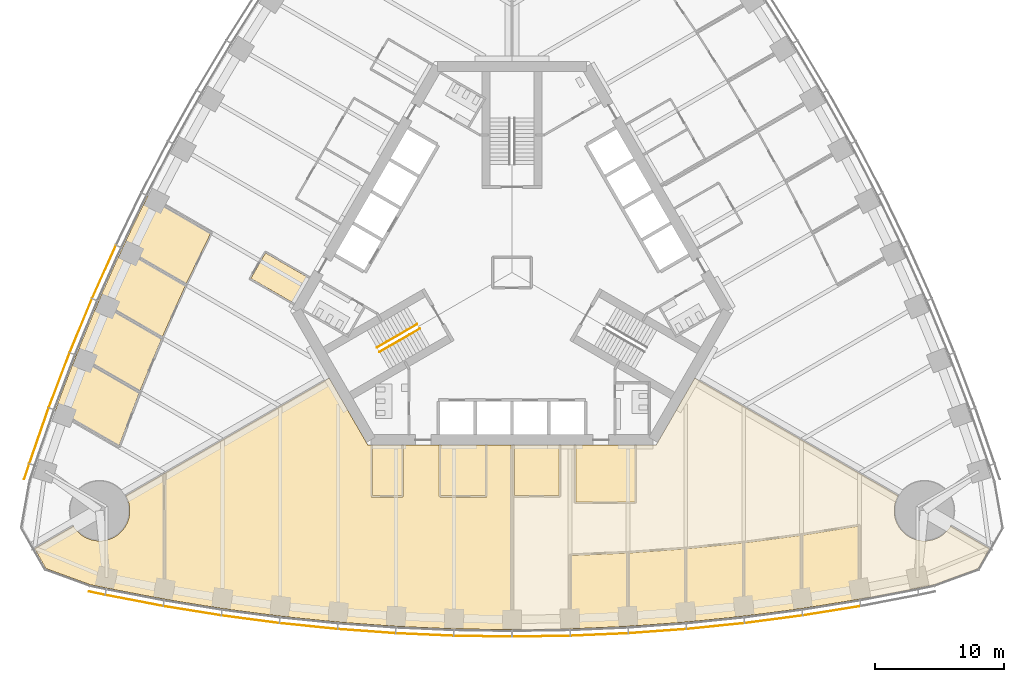
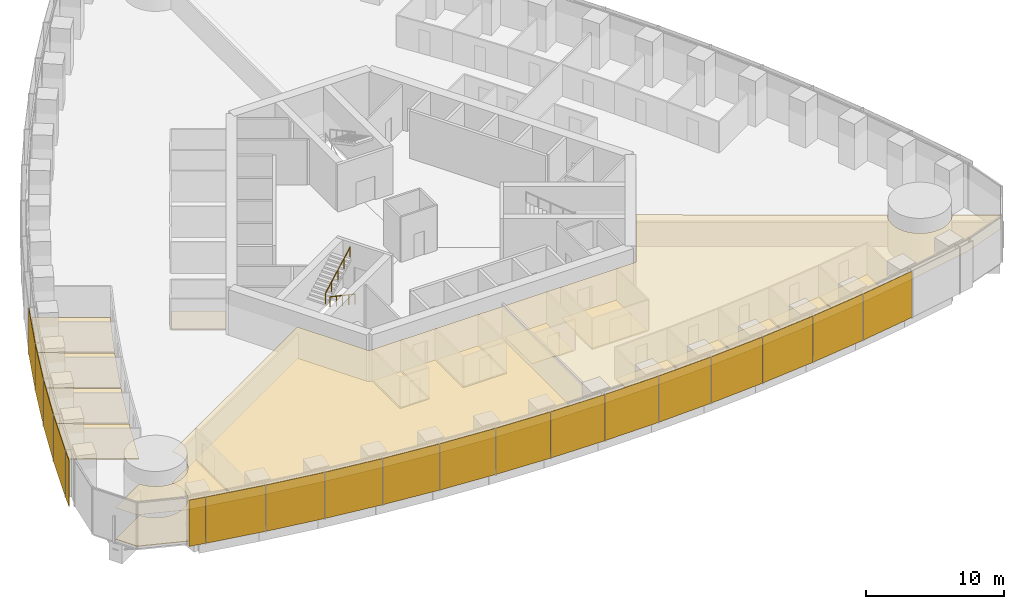
# One storey, part 15 of 19: 19 shading devices, 17 coverings, 2 railings.
"""IFC4 building model written with IfcOpenShell, lengths in metres."""

from ifc_helpers import new_model, si_unit, direction, frame, origin, origin_2d, place, context, subcontext, project, spatial, polyline, rectangle, circle, outline, extrude, material, layer, layer_set, type_object, element, save


model = new_model("IFC4")

# Units and contexts
model_context = context("Model", 3, precision=1e-05, world=origin(), true_north=direction((0.0, 1.0)))
body_context = subcontext(model_context, "Body", "Model", "MODEL_VIEW")
ifc_project = project(units=[si_unit("LENGTHUNIT", "METRE"), si_unit("AREAUNIT", "SQUARE_METRE"), si_unit("VOLUMEUNIT", "CUBIC_METRE"), si_unit("PLANEANGLEUNIT", "RADIAN"), si_unit("MASSUNIT", "GRAM", prefix="KILO")], contexts=[model_context])

# Site, building, storey
site_placement = place(None, origin())
site = spatial("IfcSite", under=ifc_project, at=site_placement, CompositionType="ELEMENT")
building_placement = place(site_placement, origin())
building = spatial("IfcBuilding", under=site, at=building_placement, Name="Trefoil Bronze Tower", CompositionType="ELEMENT")
storey_placement = place(building_placement, frame((0.0, 0.0, 45.89990234375)))
storey = spatial("IfcBuildingStorey", under=building, at=storey_placement, Name="L10", CompositionType="ELEMENT", Elevation=45.89990234375)

# Shading devices
ifc_material_1 = material(Name="Perforated bronze sheet", Category="bronze")
ifc_layer_1 = layer(ifc_material_1, 0.0400390625)
ifc_layer_set_1 = layer_set([ifc_layer_1], Name="Bronze solar screen panel")
shading_device_type = type_object("IfcShadingDeviceType", Name="Bronze solar screen panel", PredefinedType="SHUTTER", material=ifc_layer_set_1)
shading_device_1_placement = place(storey_placement, frame((-32.2431640625, -24.91064453125, 0.050048828125), z_axis=(0.0, 0.0, 1.0), x_axis=(0.978302717041, -0.207180582657, 0.0)))
element("IfcShadingDevice", 1, at=shading_device_1_placement, inside=storey, type_object=shading_device_type, Name="Solar screen CW-A L10 F1 bay 1", PredefinedType="SHUTTER", context=body_context, shape_type="SweptSolid", body=[
    extrude(rectangle(XDim=1.260498046875, YDim=0.0400390625, at=origin_2d()), origin(), (0.0, 0.0, 1.0), 4.10009765625),
])
shading_device_2_placement = place(storey_placement, frame((-29.351806640625, -25.478515625, 0.050048828125), z_axis=(0.0, 0.0, 1.0), x_axis=(0.982049823817, -0.188621694249, 0.0)))
element("IfcShadingDevice", 2, at=shading_device_2_placement, inside=storey, type_object=shading_device_type, Name="Solar screen CW-A L10 F1 bay 2", PredefinedType="SHUTTER", context=body_context, shape_type="SweptSolid", body=[
    extrude(rectangle(XDim=4.55224609375, YDim=0.0400390625, at=origin_2d()), origin(), (0.0, 0.0, 1.0), 4.10009765625),
])
shading_device_3_placement = place(storey_placement, frame((-24.836181640625, -26.277099609375, 0.050048828125), z_axis=(0.0, 0.0, 1.0), x_axis=(0.987181315145, -0.159602791421, 0.0)))
element("IfcShadingDevice", 3, at=shading_device_3_placement, inside=storey, type_object=shading_device_type, Name="Solar screen CW-A L10 F1 bay 3", PredefinedType="SHUTTER", context=body_context, shape_type="SweptSolid", body=[
    extrude(rectangle(XDim=4.5283203125, YDim=0.0400390625, at=origin_2d()), origin(), (0.0, 0.0, 1.0), 4.10009765625),
])
shading_device_4_placement = place(storey_placement, frame((-20.320556640625, -26.939697265625, 0.050048828125), z_axis=(0.0, 0.0, 1.0), x_axis=(0.991437251591, -0.130583981243, 0.0)))
element("IfcShadingDevice", 4, at=shading_device_4_placement, inside=storey, type_object=shading_device_type, Name="Solar screen CW-A L10 F1 bay 4", PredefinedType="SHUTTER", context=body_context, shape_type="SweptSolid", body=[
    extrude(rectangle(XDim=4.5087890625, YDim=0.0400390625, at=origin_2d()), origin(), (0.0, 0.0, 1.0), 4.10009765625),
])
shading_device_5_placement = place(storey_placement, frame((-15.804931640625, -27.467529296875, 0.050048828125), z_axis=(0.0, 0.0, 1.0), x_axis=(0.994828880293, -0.101565244717, 0.0)))
element("IfcShadingDevice", 5, at=shading_device_5_placement, inside=storey, type_object=shading_device_type, Name="Solar screen CW-A L10 F1 bay 5", PredefinedType="SHUTTER", context=body_context, shape_type="SweptSolid", body=[
    extrude(rectangle(XDim=4.493408203125, YDim=0.0400390625, at=origin_2d()), origin(), (0.0, 0.0, 1.0), 4.10009765625),
])
shading_device_6_placement = place(storey_placement, frame((-11.2890625, -27.8623046875, 0.050048828125), z_axis=(0.0, 0.0, 1.0), x_axis=(0.99736502647, -0.072546564177, 0.0)))
element("IfcShadingDevice", 6, at=shading_device_6_placement, inside=storey, type_object=shading_device_type, Name="Solar screen CW-A L10 F1 bay 6", PredefinedType="SHUTTER", context=body_context, shape_type="SweptSolid", body=[
    extrude(rectangle(XDim=4.48193359375, YDim=0.0400390625, at=origin_2d()), origin(), (0.0, 0.0, 1.0), 4.10009765625),
])
shading_device_7_placement = place(storey_placement, frame((-6.7734375, -28.124755859375, 0.050048828125), z_axis=(0.0, 0.0, 1.0), x_axis=(0.999052210809, -0.043527922969, 0.0)))
element("IfcShadingDevice", 7, at=shading_device_7_placement, inside=storey, type_object=shading_device_type, Name="Solar screen CW-A L10 F1 bay 7", PredefinedType="SHUTTER", context=body_context, shape_type="SweptSolid", body=[
    extrude(rectangle(XDim=4.474365234375, YDim=0.0400390625, at=origin_2d()), origin(), (0.0, 0.0, 1.0), 4.10009765625),
])
for number, where, z_axis, x_axis, name in (
    (8, (-2.2578125, -28.256103515625, 0.050048828125), (0.0, 0.0, 1.0), (0.999894734493, -0.014509305083, 0.0), "Solar screen CW-A L10 F1 bay 8"),
    (9, (2.2578125, -28.256103515625, 0.050048828125), (0.0, 0.0, 1.0), (0.999894734493, 0.014509305083, 0.0), "Solar screen CW-A L10 F1 bay 9"),
):
    element("IfcShadingDevice", number, at=place(storey_placement, frame(where, z_axis=z_axis, x_axis=x_axis)), inside=storey, type_object=shading_device_type, Name=name, PredefinedType="SHUTTER", context=body_context, shape_type="SweptSolid", body=[
        extrude(rectangle(XDim=4.470458984375, YDim=0.0400390625, at=origin_2d()), origin(), (0.0, 0.0, 1.0), 4.10009765625),
    ])
shading_device_8_placement = place(storey_placement, frame((6.7734375, -28.124755859375, 0.050048828125), z_axis=(0.0, 0.0, 1.0), x_axis=(0.999052210809, 0.043527922969, 0.0)))
element("IfcShadingDevice", 10, at=shading_device_8_placement, inside=storey, type_object=shading_device_type, Name="Solar screen CW-A L10 F1 bay 10", PredefinedType="SHUTTER", context=body_context, shape_type="SweptSolid", body=[
    extrude(rectangle(XDim=4.474365234375, YDim=0.0400390625, at=origin_2d()), origin(), (0.0, 0.0, 1.0), 4.10009765625),
])
shading_device_9_placement = place(storey_placement, frame((11.2890625, -27.8623046875, 0.050048828125), z_axis=(0.0, 0.0, 1.0), x_axis=(0.99736502647, 0.072546564177, 0.0)))
element("IfcShadingDevice", 11, at=shading_device_9_placement, inside=storey, type_object=shading_device_type, Name="Solar screen CW-A L10 F1 bay 11", PredefinedType="SHUTTER", context=body_context, shape_type="SweptSolid", body=[
    extrude(rectangle(XDim=4.48193359375, YDim=0.0400390625, at=origin_2d()), origin(), (0.0, 0.0, 1.0), 4.10009765625),
])
shading_device_10_placement = place(storey_placement, frame((15.804931640625, -27.467529296875, 0.050048828125), z_axis=(0.0, 0.0, 1.0), x_axis=(0.994828880293, 0.101565244717, 0.0)))
element("IfcShadingDevice", 12, at=shading_device_10_placement, inside=storey, type_object=shading_device_type, Name="Solar screen CW-A L10 F1 bay 12", PredefinedType="SHUTTER", context=body_context, shape_type="SweptSolid", body=[
    extrude(rectangle(XDim=4.493408203125, YDim=0.0400390625, at=origin_2d()), origin(), (0.0, 0.0, 1.0), 4.10009765625),
])
shading_device_11_placement = place(storey_placement, frame((20.320556640625, -26.939697265625, 0.050048828125), z_axis=(0.0, 0.0, 1.0), x_axis=(0.991437251591, 0.130583981243, 0.0)))
element("IfcShadingDevice", 13, at=shading_device_11_placement, inside=storey, type_object=shading_device_type, Name="Solar screen CW-A L10 F1 bay 13", PredefinedType="SHUTTER", context=body_context, shape_type="SweptSolid", body=[
    extrude(rectangle(XDim=4.5087890625, YDim=0.0400390625, at=origin_2d()), origin(), (0.0, 0.0, 1.0), 4.10009765625),
])
shading_device_12_placement = place(storey_placement, frame((24.836181640625, -26.277099609375, 0.050048828125), z_axis=(0.0, 0.0, 1.0), x_axis=(0.987181315145, 0.159602791421, 0.0)))
element("IfcShadingDevice", 14, at=shading_device_12_placement, inside=storey, type_object=shading_device_type, Name="Solar screen CW-A L10 F1 bay 14", PredefinedType="SHUTTER", context=body_context, shape_type="SweptSolid", body=[
    extrude(rectangle(XDim=4.5283203125, YDim=0.0400390625, at=origin_2d()), origin(), (0.0, 0.0, 1.0), 4.10009765625),
])
shading_device_13_placement = place(storey_placement, frame((-31.68994140625, 0.04638671875, 0.050048828125), z_axis=(0.0, 0.0, 1.0), x_axis=(-0.40945635808, -0.912329705111, 0.0)))
element("IfcShadingDevice", 15, at=shading_device_13_placement, inside=storey, type_object=shading_device_type, Name="Solar screen CW-A L10 F3 bay 12", PredefinedType="SHUTTER", context=body_context, shape_type="SweptSolid", body=[
    extrude(rectangle(XDim=4.493408203125, YDim=0.0400390625, at=origin_2d()), origin(), (0.0, 0.0, 1.0), 4.10009765625),
])
shading_device_14_placement = place(storey_placement, frame((-33.49072265625, -4.128173828125, 0.050048828125), z_axis=(0.0, 0.0, 1.0), x_axis=(-0.382629580712, -0.923901836758, 0.0)))
element("IfcShadingDevice", 16, at=shading_device_14_placement, inside=storey, type_object=shading_device_type, Name="Solar screen CW-A L10 F3 bay 13", PredefinedType="SHUTTER", context=body_context, shape_type="SweptSolid", body=[
    extrude(rectangle(XDim=4.5087890625, YDim=0.0400390625, at=origin_2d()), origin(), (0.0, 0.0, 1.0), 4.10009765625),
])
shading_device_15_placement = place(storey_placement, frame((-35.1748046875, -8.3701171875, 0.050048828125), z_axis=(0.0, 0.0, 1.0), x_axis=(-0.355370585687, -0.934725492767, 0.0)))
element("IfcShadingDevice", 17, at=shading_device_15_placement, inside=storey, type_object=shading_device_type, Name="Solar screen CW-A L10 F3 bay 14", PredefinedType="SHUTTER", context=body_context, shape_type="SweptSolid", body=[
    extrude(rectangle(XDim=4.5283203125, YDim=0.0400390625, at=origin_2d()), origin(), (0.0, 0.0, 1.0), 4.10009765625),
])
shading_device_16_placement = place(storey_placement, frame((-36.740966796875, -12.68017578125, 0.050048828125), z_axis=(0.0, 0.0, 1.0), x_axis=(-0.327673732984, -0.944790942332, 0.0)))
element("IfcShadingDevice", 18, at=shading_device_16_placement, inside=storey, type_object=shading_device_type, Name="Solar screen CW-A L10 F3 bay 15", PredefinedType="SHUTTER", context=body_context, shape_type="SweptSolid", body=[
    extrude(rectangle(XDim=4.55224609375, YDim=0.0400390625, at=origin_2d()), origin(), (0.0, 0.0, 1.0), 4.10009765625),
])
shading_device_17_placement = place(storey_placement, frame((-37.69482421875, -15.468017578125, 0.050048828125), z_axis=(0.0, 0.0, 1.0), x_axis=(-0.309727710769, -0.950825296877, 0.0)))
element("IfcShadingDevice", 19, at=shading_device_17_placement, inside=storey, type_object=shading_device_type, Name="Solar screen CW-A L10 F3 bay 16", PredefinedType="SHUTTER", context=body_context, shape_type="SweptSolid", body=[
    extrude(rectangle(XDim=1.260498046875, YDim=0.0400390625, at=origin_2d()), origin(), (0.0, 0.0, 1.0), 4.10009765625),
])

# Railings
ifc_material_2 = material(Name="Steel handrail", Category="steel")
railing_type = type_object("IfcRailingType", Name="Handrail 900", PredefinedType="HANDRAIL", material=ifc_material_2)
railing_1_placement = place(storey_placement, frame((-7.166015625, -4.3681640625, 0.16162109375)))
element("IfcRailing", 20, at=railing_1_placement, inside=storey, type_object=railing_type, Name="Handrail ST3 flight 1 L10", PredefinedType="HANDRAIL", context=body_context, shape_type="SweptSolid", body=[
    extrude(circle(Radius=0.02392578125, at=origin_2d()), frame((0.0, 0.0, 0.8759765625), z_axis=(-0.76250339821, -0.440245697338, 0.474101564745), x_axis=(0.500012057535, -0.866018442252, 0.0)), (0.0, 0.0, 1.0), 4.088623046875),
    extrude(circle(Radius=0.02099609375, at=origin_2d()), origin(), (0.0, 0.0, 1.0), 0.851806640625),
    extrude(circle(Radius=0.02099609375, at=origin_2d()), frame((-0.779296875, -0.449951171875, 0.484619140625)), (0.0, 0.0, 1.0), 0.851806640625),
    extrude(circle(Radius=0.02099609375, at=origin_2d()), frame((-1.558837890625, -0.89990234375, 0.96923828125)), (0.0, 0.0, 1.0), 0.851806640625),
    extrude(circle(Radius=0.02099609375, at=origin_2d()), frame((-2.33837890625, -1.35009765625, 1.453857421875)), (0.0, 0.0, 1.0), 0.851806640625),
    extrude(circle(Radius=0.02099609375, at=origin_2d()), frame((-3.11767578125, -1.800048828125, 1.9384765625)), (0.0, 0.0, 1.0), 0.851806640625),
])
railing_2_placement = place(storey_placement, frame((-10.483642578125, -5.82177734375, 2.26171875)))
element("IfcRailing", 21, at=railing_2_placement, inside=storey, type_object=railing_type, Name="Handrail ST3 flight 2 L10", PredefinedType="HANDRAIL", context=body_context, shape_type="SweptSolid", body=[
    extrude(circle(Radius=0.02392578125, at=origin_2d()), frame((0.0, 0.0, 0.8759765625), z_axis=(0.76250339821, 0.440245697338, 0.474101564745), x_axis=(-0.500012057535, 0.866018442252, 0.0)), (0.0, 0.0, 1.0), 4.088623046875),
    extrude(circle(Radius=0.02099609375, at=origin_2d()), origin(), (0.0, 0.0, 1.0), 0.851806640625),
    extrude(circle(Radius=0.02099609375, at=origin_2d()), frame((0.779296875, 0.449951171875, 0.484619140625)), (0.0, 0.0, 1.0), 0.851806640625),
    extrude(circle(Radius=0.02099609375, at=origin_2d()), frame((1.558837890625, 0.89990234375, 0.96923828125)), (0.0, 0.0, 1.0), 0.851806640625),
    extrude(circle(Radius=0.02099609375, at=origin_2d()), frame((2.33837890625, 1.35009765625, 1.453857421875)), (0.0, 0.0, 1.0), 0.851806640625),
    extrude(circle(Radius=0.02099609375, at=origin_2d()), frame((3.11767578125, 1.800048828125, 1.9384765625)), (0.0, 0.0, 1.0), 0.851806640625),
])

# Coverings
ifc_material_3 = material(Name="Acoustic ceiling panels", Category="mineral fibre")
ifc_layer_2 = layer(ifc_material_3, 0.02001953125)
ifc_layer_set_2 = layer_set([ifc_layer_2], Name="Office ceiling 20")
covering_type_1 = type_object("IfcCoveringType", Name="Office ceiling 20", PredefinedType="CEILING", material=ifc_layer_set_2)
covering_1_placement = place(storey_placement, frame((0.0, 0.0, 2.900146484375)))
element("IfcCovering", 22, at=covering_1_placement, inside=storey, type_object=covering_type_1, Name="Ceiling L10 Open-plan office F1", PredefinedType="CEILING", context=body_context, shape_type="SweptSolid", body=[
    extrude(outline(polyline([(-33.996826171875, -19.8056640625), (-33.930419921875, -19.89990234375), (-33.859619140625, -19.99072265625), (-33.7841796875, -20.078125), (-33.70458984375, -20.16162109375), (-33.62109375, -20.2412109375), (-33.53369140625, -20.316650390625), (-33.44287109375, -20.387451171875), (-33.348388671875, -20.4541015625), (-33.251220703125, -20.515625), (-33.150634765625, -20.572509765625), (-33.047607421875, -20.62451171875), (-32.942138671875, -20.671142578125), (-32.834716796875, -20.712646484375), (-32.72509765625, -20.748779296875), (-32.614013671875, -20.779541015625), (-32.50146484375, -20.8046875), (-32.3876953125, -20.82470703125), (-32.273193359375, -20.838623046875), (-32.158203125, -20.84716796875), (-32.04296875, -20.85009765625), (-31.927490234375, -20.84716796875), (-31.8125, -20.838623046875), (-31.697998046875, -20.82470703125), (-31.58447265625, -20.8046875), (-31.471923828125, -20.779541015625), (-31.36083984375, -20.748779296875), (-31.251220703125, -20.712646484375), (-31.1435546875, -20.671142578125), (-31.0380859375, -20.62451171875), (-30.935302734375, -20.572509765625), (-30.834716796875, -20.515625), (-30.7373046875, -20.4541015625), (-30.64306640625, -20.387451171875), (-30.552001953125, -20.316650390625), (-30.46484375, -20.2412109375), (-30.381103515625, -20.16162109375), (-30.3017578125, -20.078125), (-30.226318359375, -19.99072265625), (-30.155517578125, -19.89990234375), (-30.089111328125, -19.8056640625), (-30.02734375, -19.7080078125), (-29.970458984375, -19.60791015625), (-29.918701171875, -19.5048828125), (-29.871826171875, -19.3994140625), (-29.830322265625, -19.291748046875), (-29.794189453125, -19.18212890625), (-29.763427734375, -19.071044921875), (-29.738037109375, -18.95849609375), (-29.718505859375, -18.8447265625), (-29.704345703125, -18.730224609375), (-29.69580078125, -18.615234375), (-29.69287109375, -18.5), (-29.69580078125, -18.384765625), (-29.704345703125, -18.269775390625), (-29.718505859375, -18.1552734375), (-29.738037109375, -18.04150390625), (-29.763427734375, -17.928955078125), (-29.794189453125, -17.81787109375), (-29.830322265625, -17.708251953125), (-29.871826171875, -17.6005859375), (-29.918701171875, -17.4951171875), (-29.970458984375, -17.39208984375), (-30.001953125, -17.336669921875), (-14.19970703125, -8.205322265625), (-11.20068359375, -13.39990234375), (11.20068359375, -13.39990234375), (14.19970703125, -8.205322265625), (30.001953125, -17.336669921875), (29.970458984375, -17.39208984375), (29.918701171875, -17.4951171875), (29.871826171875, -17.6005859375), (29.830322265625, -17.708251953125), (29.794189453125, -17.81787109375), (29.763427734375, -17.928955078125), (29.738037109375, -18.04150390625), (29.718505859375, -18.1552734375), (29.704345703125, -18.269775390625), (29.69580078125, -18.384765625), (29.69287109375, -18.5), (29.69580078125, -18.615234375), (29.704345703125, -18.730224609375), (29.718505859375, -18.8447265625), (29.738037109375, -18.95849609375), (29.763427734375, -19.071044921875), (29.794189453125, -19.18212890625), (29.830322265625, -19.291748046875), (29.871826171875, -19.3994140625), (29.918701171875, -19.5048828125), (29.970458984375, -19.60791015625), (30.02734375, -19.7080078125), (30.089111328125, -19.8056640625), (30.155517578125, -19.89990234375), (30.226318359375, -19.99072265625), (30.3017578125, -20.078125), (30.381103515625, -20.16162109375), (30.46484375, -20.2412109375), (30.552001953125, -20.316650390625), (30.64306640625, -20.387451171875), (30.7373046875, -20.4541015625), (30.834716796875, -20.515625), (30.935302734375, -20.572509765625), (31.0380859375, -20.62451171875), (31.1435546875, -20.671142578125), (31.251220703125, -20.712646484375), (31.36083984375, -20.748779296875), (31.471923828125, -20.779541015625), (31.58447265625, -20.8046875), (31.697998046875, -20.82470703125), (31.8125, -20.838623046875), (31.927490234375, -20.84716796875), (32.04296875, -20.85009765625), (32.158203125, -20.84716796875), (32.273193359375, -20.838623046875), (32.3876953125, -20.82470703125), (32.50146484375, -20.8046875), (32.614013671875, -20.779541015625), (32.72509765625, -20.748779296875), (32.834716796875, -20.712646484375), (32.942138671875, -20.671142578125), (33.047607421875, -20.62451171875), (33.150634765625, -20.572509765625), (33.251220703125, -20.515625), (33.348388671875, -20.4541015625), (33.44287109375, -20.387451171875), (33.53369140625, -20.316650390625), (33.62109375, -20.2412109375), (33.70458984375, -20.16162109375), (33.7841796875, -20.078125), (33.859619140625, -19.99072265625), (33.930419921875, -19.89990234375), (33.996826171875, -19.8056640625), (34.0703125, -19.6875), (37.094482421875, -21.43505859375), (36.190673828125, -23.0009765625), (32.762451171875, -24.248779296875), (31.5, -24.51611328125), (27.0, -25.38037109375), (22.5, -26.10791015625), (18.0, -26.70068359375), (13.5, -27.159912109375), (9.0, -27.4873046875), (4.5, -27.683349609375), (0.0, -27.748779296875), (-4.5, -27.683349609375), (-9.0, -27.4873046875), (-13.5, -27.159912109375), (-18.0, -26.70068359375), (-22.5, -26.10791015625), (-27.0, -25.38037109375), (-31.5, -24.51611328125), (-32.762451171875, -24.248779296875), (-36.190673828125, -23.0009765625), (-37.094482421875, -21.43505859375), (-34.0703125, -19.6875), (-33.996826171875, -19.8056640625)])), origin(), (0.0, 0.0, 1.0), 0.02001953125),
])
ifc_material_4 = material(Name="Raised access floor panels", Category="steel")
ifc_layer_3 = layer(ifc_material_4, 0.050048828125)
ifc_layer_set_3 = layer_set([ifc_layer_3], Name="Raised access floor 150")
covering_type_2 = type_object("IfcCoveringType", Name="Raised access floor 150", PredefinedType="FLOORING", material=ifc_layer_set_3)
covering_2_placement = place(storey_placement, frame((0.0, 0.0, 0.10009765625)))
element("IfcCovering", 23, at=covering_2_placement, inside=storey, type_object=covering_type_2, Name="Raised floor L10 Kitchen and breakout F1", PredefinedType="FLOORING", context=body_context, shape_type="SweptSolid", body=[
    extrude(outline(polyline([(-30.001953125, -17.336669921875), (-27.0, -15.60205078125), (-27.0, -15.652099609375), (-27.06005859375, -15.652099609375), (-27.06005859375, -23.77587890625), (-27.0, -23.77587890625), (-27.0, -25.38037109375), (-31.5, -24.51611328125), (-32.762451171875, -24.248779296875), (-36.190673828125, -23.0009765625), (-37.094482421875, -21.43505859375), (-34.0703125, -19.6875), (-33.996826171875, -19.8056640625), (-33.930419921875, -19.89990234375), (-33.859619140625, -19.99072265625), (-33.7841796875, -20.078125), (-33.70458984375, -20.16162109375), (-33.62109375, -20.2412109375), (-33.53369140625, -20.316650390625), (-33.44287109375, -20.387451171875), (-33.348388671875, -20.4541015625), (-33.251220703125, -20.515625), (-33.150634765625, -20.572509765625), (-33.047607421875, -20.62451171875), (-32.942138671875, -20.671142578125), (-32.834716796875, -20.712646484375), (-32.72509765625, -20.748779296875), (-32.614013671875, -20.779541015625), (-32.50146484375, -20.8046875), (-32.3876953125, -20.82470703125), (-32.273193359375, -20.838623046875), (-32.158203125, -20.84716796875), (-32.04296875, -20.85009765625), (-31.927490234375, -20.84716796875), (-31.8125, -20.838623046875), (-31.697998046875, -20.82470703125), (-31.58447265625, -20.8046875), (-31.471923828125, -20.779541015625), (-31.36083984375, -20.748779296875), (-31.251220703125, -20.712646484375), (-31.1435546875, -20.671142578125), (-31.0380859375, -20.62451171875), (-30.935302734375, -20.572509765625), (-30.834716796875, -20.515625), (-30.7373046875, -20.4541015625), (-30.64306640625, -20.387451171875), (-30.552001953125, -20.316650390625), (-30.46484375, -20.2412109375), (-30.381103515625, -20.16162109375), (-30.3017578125, -20.078125), (-30.226318359375, -19.99072265625), (-30.155517578125, -19.89990234375), (-30.089111328125, -19.8056640625), (-30.02734375, -19.7080078125), (-29.970458984375, -19.60791015625), (-29.918701171875, -19.5048828125), (-29.871826171875, -19.3994140625), (-29.830322265625, -19.291748046875), (-29.794189453125, -19.18212890625), (-29.763427734375, -19.071044921875), (-29.738037109375, -18.95849609375), (-29.718505859375, -18.8447265625), (-29.704345703125, -18.730224609375), (-29.69580078125, -18.615234375), (-29.69287109375, -18.5), (-29.69580078125, -18.384765625), (-29.704345703125, -18.269775390625), (-29.718505859375, -18.1552734375), (-29.738037109375, -18.04150390625), (-29.763427734375, -17.928955078125), (-29.794189453125, -17.81787109375), (-29.830322265625, -17.708251953125), (-29.871826171875, -17.6005859375), (-29.918701171875, -17.4951171875), (-29.970458984375, -17.39208984375), (-30.001953125, -17.336669921875)])), origin(), (0.0, 0.0, 1.0), 0.050048828125),
])
covering_3_placement = place(storey_placement, frame((0.0, 0.0, 0.10009765625)))
element("IfcCovering", 24, at=covering_3_placement, inside=storey, type_object=covering_type_2, Name="Raised floor L10 Reception F1", PredefinedType="FLOORING", context=body_context, shape_type="SweptSolid", body=[
    extrude(outline(polyline([(9.5400390625, -13.39990234375), (9.5400390625, -17.840087890625), (4.9599609375, -17.840087890625), (4.9599609375, -13.39990234375), (9.5400390625, -13.39990234375)])), origin(), (0.0, 0.0, 1.0), 0.050048828125),
])
covering_4_placement = place(storey_placement, frame((0.0, 0.0, 0.10009765625)))
element("IfcCovering", 25, at=covering_4_placement, inside=storey, type_object=covering_type_2, Name="Raised floor L10 Meeting room F1", PredefinedType="FLOORING", context=body_context, shape_type="SweptSolid", body=[
    extrude(outline(polyline([(-2.06005859375, -13.39990234375), (-2.06005859375, -17.340087890625), (-5.5400390625, -17.340087890625), (-5.5400390625, -13.39990234375), (-2.06005859375, -13.39990234375)])), origin(), (0.0, 0.0, 1.0), 0.050048828125),
])
covering_5_placement = place(storey_placement, frame((0.0, 0.0, 0.10009765625)))
element("IfcCovering", 26, at=covering_5_placement, inside=storey, type_object=covering_type_2, Name="Raised floor L10 Meeting room F1", PredefinedType="FLOORING", context=body_context, shape_type="SweptSolid", body=[
    extrude(outline(polyline([(3.6650390625, -13.39990234375), (3.6650390625, -17.340087890625), (0.18505859375, -17.340087890625), (0.18505859375, -13.39990234375), (3.6650390625, -13.39990234375)])), origin(), (0.0, 0.0, 1.0), 0.050048828125),
])
covering_6_placement = place(storey_placement, frame((0.0, 0.0, 0.10009765625)))
element("IfcCovering", 27, at=covering_6_placement, inside=storey, type_object=covering_type_2, Name="Raised floor L10 Comms room F1", PredefinedType="FLOORING", context=body_context, shape_type="SweptSolid", body=[
    extrude(outline(polyline([(-8.56005859375, -13.39990234375), (-8.56005859375, -17.340087890625), (-10.840087890625, -17.340087890625), (-10.840087890625, -13.39990234375), (-8.56005859375, -13.39990234375)])), origin(), (0.0, 0.0, 1.0), 0.050048828125),
])
covering_7_placement = place(storey_placement, frame((0.0, 0.0, 0.10009765625)))
element("IfcCovering", 28, at=covering_7_placement, inside=storey, type_object=covering_type_2, Name="Raised floor L10 Office F1", PredefinedType="FLOORING", context=body_context, shape_type="SweptSolid", body=[
    extrude(outline(polyline([(27.0, -25.38037109375), (22.5, -26.10791015625), (22.5, -24.510986328125), (22.56005859375, -24.510986328125), (22.56005859375, -20.408935546875), (26.93994140625, -19.70068359375), (26.93994140625, -23.77587890625), (27.0, -23.77587890625), (27.0, -25.38037109375)])), origin(), (0.0, 0.0, 1.0), 0.050048828125),
])
covering_8_placement = place(storey_placement, frame((0.0, 0.0, 0.10009765625)))
element("IfcCovering", 29, at=covering_8_placement, inside=storey, type_object=covering_type_2, Name="Raised floor L10 Office F1", PredefinedType="FLOORING", context=body_context, shape_type="SweptSolid", body=[
    extrude(outline(polyline([(22.5, -26.10791015625), (18.0, -26.70068359375), (18.0, -25.10986328125), (18.06005859375, -25.10986328125), (18.06005859375, -21.003173828125), (22.43994140625, -20.42626953125), (22.43994140625, -24.510986328125), (22.5, -24.510986328125), (22.5, -26.10791015625)])), origin(), (0.0, 0.0, 1.0), 0.050048828125),
])
covering_9_placement = place(storey_placement, frame((0.0, 0.0, 0.10009765625)))
element("IfcCovering", 30, at=covering_9_placement, inside=storey, type_object=covering_type_2, Name="Raised floor L10 Office F1", PredefinedType="FLOORING", context=body_context, shape_type="SweptSolid", body=[
    extrude(outline(polyline([(18.0, -26.70068359375), (13.5, -27.159912109375), (13.5, -25.573974609375), (13.56005859375, -25.573974609375), (13.56005859375, -21.464111328125), (17.93994140625, -21.01708984375), (17.93994140625, -25.10986328125), (18.0, -25.10986328125), (18.0, -26.70068359375)])), origin(), (0.0, 0.0, 1.0), 0.050048828125),
])
covering_10_placement = place(storey_placement, frame((0.0, 0.0, 0.10009765625)))
element("IfcCovering", 31, at=covering_10_placement, inside=storey, type_object=covering_type_2, Name="Raised floor L10 Office F1", PredefinedType="FLOORING", context=body_context, shape_type="SweptSolid", body=[
    extrude(outline(polyline([(13.5, -27.159912109375), (9.0, -27.4873046875), (9.0, -25.90478515625), (9.06005859375, -25.90478515625), (9.06005859375, -21.793212890625), (13.43994140625, -21.474609375), (13.43994140625, -25.573974609375), (13.5, -25.573974609375), (13.5, -27.159912109375)])), origin(), (0.0, 0.0, 1.0), 0.050048828125),
])
covering_11_placement = place(storey_placement, frame((0.0, 0.0, 0.10009765625)))
element("IfcCovering", 32, at=covering_11_placement, inside=storey, type_object=covering_type_2, Name="Raised floor L10 Meeting room F1", PredefinedType="FLOORING", context=body_context, shape_type="SweptSolid", body=[
    extrude(outline(polyline([(9.0, -27.4873046875), (4.5, -27.683349609375), (4.5, -26.102783203125), (4.56005859375, -26.102783203125), (4.56005859375, -21.990966796875), (8.93994140625, -21.800048828125), (8.93994140625, -25.90478515625), (9.0, -25.90478515625), (9.0, -27.4873046875)])), origin(), (0.0, 0.0, 1.0), 0.050048828125),
])
covering_12_placement = place(storey_placement, frame((0.0, 0.0, 0.10009765625)))
element("IfcCovering", 33, at=covering_12_placement, inside=storey, type_object=covering_type_2, Name="Raised floor L10 Open-plan office F1", PredefinedType="FLOORING", context=body_context, shape_type="SweptSolid", body=[
    extrude(outline(polyline([(-14.19970703125, -8.205322265625), (-11.20068359375, -13.39990234375), (-10.9599609375, -13.39990234375), (-10.9599609375, -17.39990234375), (-10.89990234375, -17.39990234375), (-10.89990234375, -17.4599609375), (-8.5, -17.4599609375), (-8.5, -17.39990234375), (-8.43994140625, -17.39990234375), (-8.43994140625, -13.39990234375), (-5.659912109375, -13.39990234375), (-5.659912109375, -17.39990234375), (-5.60009765625, -17.39990234375), (-5.60009765625, -17.4599609375), (-2.0, -17.4599609375), (-2.0, -17.39990234375), (-1.93994140625, -17.39990234375), (-1.93994140625, -13.39990234375), (-0.0009765625, -13.39990234375), (-0.0009765625, -13.409912109375), (-0.074951171875, -13.409912109375), (-0.074951171875, -26.168701171875), (-0.0009765625, -26.168701171875), (-0.0009765625, -27.748779296875), (-4.5, -27.683349609375), (-9.0, -27.4873046875), (-13.5, -27.159912109375), (-18.0, -26.70068359375), (-22.5, -26.10791015625), (-27.0, -25.38037109375), (-27.0, -23.77587890625), (-26.93994140625, -23.77587890625), (-26.93994140625, -15.652099609375), (-27.0, -15.652099609375), (-27.0, -15.60205078125), (-14.19970703125, -8.205322265625)])), origin(), (0.0, 0.0, 1.0), 0.050048828125),
])
covering_13_placement = place(storey_placement, frame((0.0, 0.0, 0.10009765625)))
element("IfcCovering", 34, at=covering_13_placement, inside=storey, type_object=covering_type_2, Name="Raised floor L10 Store F3", PredefinedType="FLOORING", context=body_context, shape_type="SweptSolid", body=[
    extrude(outline(polyline([(-16.874755859375, -2.427978515625), (-20.286865234375, -0.4580078125), (-19.14697265625, 1.5166015625), (-15.734619140625, -0.453369140625), (-16.874755859375, -2.427978515625)])), origin(), (0.0, 0.0, 1.0), 0.050048828125),
])
covering_14_placement = place(storey_placement, frame((0.0, 0.0, 0.10009765625)))
element("IfcCovering", 35, at=covering_14_placement, inside=storey, type_object=covering_type_2, Name="Raised floor L10 Office F3", PredefinedType="FLOORING", context=body_context, shape_type="SweptSolid", body=[
    extrude(outline(polyline([(-30.271240234375, 1.888671875), (-28.3046875, 5.949462890625), (-26.93408203125, 5.158203125), (-26.964111328125, 5.106201171875), (-23.4033203125, 3.05029296875), (-25.3173828125, -0.902099609375), (-28.867919921875, 1.147705078125), (-28.897705078125, 1.095703125), (-30.271240234375, 1.888671875)])), origin(), (0.0, 0.0, 1.0), 0.050048828125),
])
covering_15_placement = place(storey_placement, frame((0.0, 0.0, 0.10009765625)))
element("IfcCovering", 36, at=covering_15_placement, inside=storey, type_object=covering_type_2, Name="Raised floor L10 Office F3", PredefinedType="FLOORING", context=body_context, shape_type="SweptSolid", body=[
    extrude(outline(polyline([(-30.271240234375, 1.888671875), (-28.897705078125, 1.095703125), (-28.927734375, 1.043701171875), (-25.36865234375, -1.01123046875), (-27.17138671875, -5.028076171875), (-30.7158203125, -2.9814453125), (-30.745849609375, -3.033447265625), (-32.123291015625, -2.23828125), (-30.271240234375, 1.888671875)])), origin(), (0.0, 0.0, 1.0), 0.050048828125),
])
covering_16_placement = place(storey_placement, frame((0.0, 0.0, 0.10009765625)))
element("IfcCovering", 37, at=covering_16_placement, inside=storey, type_object=covering_type_2, Name="Raised floor L10 Office F3", PredefinedType="FLOORING", context=body_context, shape_type="SweptSolid", body=[
    extrude(outline(polyline([(-33.860107421875, -6.431640625), (-32.123291015625, -2.23828125), (-30.745849609375, -3.033447265625), (-30.77587890625, -3.08544921875), (-27.21923828125, -5.138916015625), (-28.90966796875, -9.220458984375), (-32.447265625, -7.177978515625), (-32.477294921875, -7.22998046875), (-33.860107421875, -6.431640625)])), origin(), (0.0, 0.0, 1.0), 0.050048828125),
])
covering_17_placement = place(storey_placement, frame((0.0, 0.0, 0.10009765625)))
element("IfcCovering", 38, at=covering_17_placement, inside=storey, type_object=covering_type_2, Name="Raised floor L10 Meeting room F3", PredefinedType="FLOORING", context=body_context, shape_type="SweptSolid", body=[
    extrude(outline(polyline([(-35.47998046875, -10.6923828125), (-33.860107421875, -6.431640625), (-32.477294921875, -7.22998046875), (-32.507080078125, -7.281982421875), (-28.95458984375, -9.3330078125), (-30.531494140625, -13.480224609375), (-34.060546875, -11.442626953125), (-34.090576171875, -11.49462890625), (-35.47998046875, -10.6923828125)])), origin(), (0.0, 0.0, 1.0), 0.050048828125),
])

save(model, "model.ifc")
